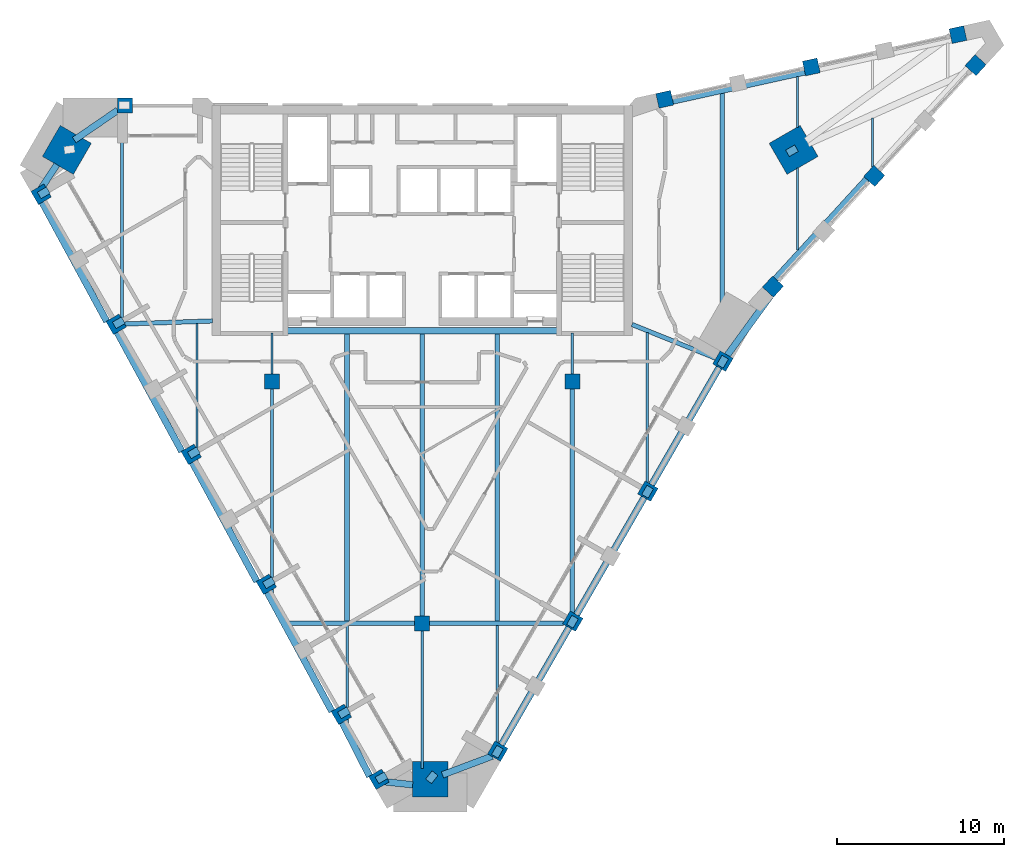
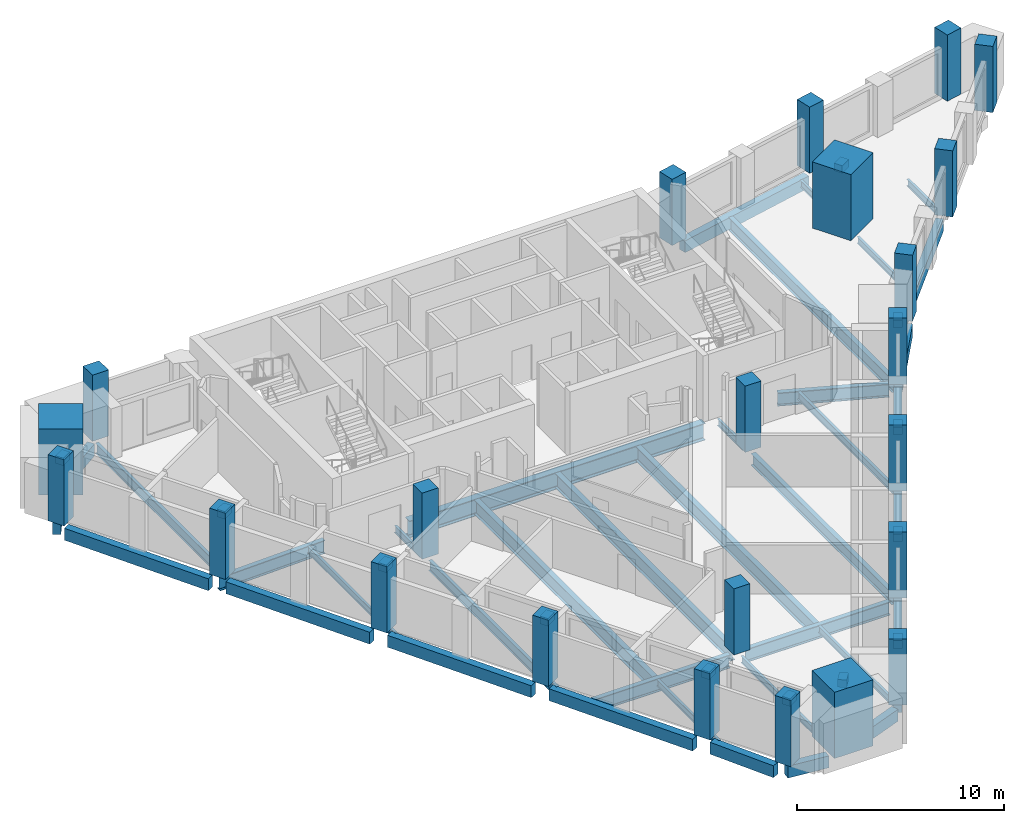
# One storey, part 1 of 8: 49 beams, 23 columns.
"""IFC4 building model written with IfcOpenShell, lengths in metres."""

from ifc_helpers import new_model, si_unit, direction, frame, origin, origin_2d, place, context, subcontext, project, spatial, rectangle, i_section, extrude, material, material_profile, profile_set, type_object, element, save


model = new_model("IFC4")

# Units and contexts
model_context = context("Model", 3, precision=1e-05, world=origin(), true_north=direction((0.0, 1.0)))
body_context = subcontext(model_context, "Body", "Model", "MODEL_VIEW")
ifc_project = project(units=[si_unit("LENGTHUNIT", "METRE"), si_unit("AREAUNIT", "SQUARE_METRE"), si_unit("VOLUMEUNIT", "CUBIC_METRE"), si_unit("PLANEANGLEUNIT", "RADIAN"), si_unit("MASSUNIT", "GRAM", prefix="KILO")], contexts=[model_context])

# Site, building, storey
site_placement = place(None, origin())
site = spatial("IfcSite", under=ifc_project, at=site_placement, CompositionType="ELEMENT")
building_placement = place(site_placement, origin())
building = spatial("IfcBuilding", under=site, at=building_placement, Name="Calabash Gate Tower", CompositionType="ELEMENT")
storey_placement = place(building_placement, frame((0.0, 0.0, 275.5)))
storey = spatial("IfcBuildingStorey", under=building, at=storey_placement, Name="L66", CompositionType="ELEMENT", Elevation=275.5)

# Columns
ifc_material_1 = material(Name="Concrete C60/75", Category="concrete")
ifc_material_profile_1 = material_profile(ifc_material_1, rectangle(XDim=0.89990234375, YDim=0.89990234375, at=origin_2d()))
ifc_profile_set_1 = profile_set([ifc_material_profile_1], Name="Concrete C60/75")
column_type_1 = type_object("IfcColumnType", Name="Interior column RC 900x900 Concrete C60/75", PredefinedType="COLUMN", material=ifc_profile_set_1)
for number, where, z_axis, x_axis, name in (
    (1, (-9.0, 2.5, 0.0), (0.0, 0.0, 1.0), (1.0, 0.0, 0.0), "Interior column L66 I0"),
    (2, (9.0, 2.5, 0.0), (0.0, 0.0, 1.0), (1.0, 0.0, 0.0), "Interior column L66 I1"),
    (3, (0.0, -12.0, 0.0), (0.0, 0.0, 1.0), (1.0, 0.0, 0.0), "Interior column L66 I2"),
):
    element("IfcColumn", number, at=place(storey_placement, frame(where, z_axis=z_axis, x_axis=x_axis)), inside=storey, type_object=column_type_1, Name=name, PredefinedType="COLUMN", context=body_context, shape_type="SweptSolid", body=[
        extrude(rectangle(XDim=0.89990234375, YDim=0.89990234375, at=origin_2d()), origin(), (0.0, 0.0, 1.0), 3.89990234375),
    ])
ifc_material_2 = material(Name="Concrete C60/75", Category="concrete")
ifc_material_profile_2 = material_profile(ifc_material_2, rectangle(XDim=2.14990234375, YDim=2.14990234375, at=origin_2d()))
ifc_profile_set_2 = profile_set([ifc_material_profile_2], Name="Concrete C60/75")
column_type_2 = type_object("IfcColumnType", Name="Mega column RC 2150x2150 Concrete C60/75", PredefinedType="COLUMN", material=ifc_profile_set_2)
for number, where, z_axis, x_axis, name in (
    (4, (-21.305908203125, 16.386962890625, 0.0), (0.0, 0.0, 1.0), (0.866025412511, -0.499999984885, 0.0), "Mega column L66 NW"),
    (5, (22.26708984375, 16.386962890625, 0.0), (0.0, 0.0, 1.0), (-0.866025412511, -0.499999984885, 0.0), "Mega column L66 NE"),
    (6, (0.47998046875, -21.345947265625, 0.0), (0.0, 0.0, 1.0), (0.0, 1.0, 0.0), "Mega column L66 S"),
):
    element("IfcColumn", number, at=place(storey_placement, frame(where, z_axis=z_axis, x_axis=x_axis)), inside=storey, type_object=column_type_2, Name=name, PredefinedType="COLUMN", context=body_context, shape_type="SweptSolid", body=[
        extrude(rectangle(XDim=2.14990234375, YDim=2.14990234375, at=origin_2d()), origin(), (0.0, 0.0, 1.0), 3.89990234375),
    ])
ifc_material_3 = material(Name="Concrete C50/60", Category="concrete")
ifc_material_profile_3 = material_profile(ifc_material_3, rectangle(XDim=0.89990234375, YDim=0.89990234375, at=origin_2d()))
ifc_profile_set_3 = profile_set([ifc_material_profile_3], Name="Concrete C50/60")
column_type_3 = type_object("IfcColumnType", Name="Perimeter column RC 900x900 Concrete C50/60", PredefinedType="COLUMN", material=ifc_profile_set_3)
for number, where, z_axis, x_axis, name in (
    (7, (-22.845947265625, 13.72705078125, 0.0), (0.0, 0.0, 1.0), (0.500000015115, -0.866025395058, 0.0), "Perimeter column L66 P20"),
    (8, (-18.345947265625, 5.930908203125, 0.0), (0.0, 0.0, 1.0), (0.500000015115, -0.866025395058, 0.0), "Perimeter column L66 P00"),
    (9, (-13.845947265625, -1.864013671875, 0.0), (0.0, 0.0, 1.0), (0.500000015115, -0.866025395058, 0.0), "Perimeter column L66 P01"),
    (10, (-9.345947265625, -9.657958984375, 0.0), (0.0, 0.0, 1.0), (0.500000015115, -0.866025395058, 0.0), "Perimeter column L66 P02"),
    (11, (-4.845947265625, -17.451904296875, 0.0), (0.0, 0.0, 1.0), (0.500000015115, -0.866025395058, 0.0), "Perimeter column L66 P03"),
    (12, (-2.595947265625, -21.34912109375, 0.0), (0.0, 0.0, 1.0), (0.500000015115, -0.866025395058, 0.0), "Perimeter column L66 P25"),
    (13, (4.530029296875, -19.660888671875, 0.0), (0.0, 0.0, 1.0), (0.499999984885, 0.866025412511, 0.0), "Perimeter column L66 P08"),
    (14, (9.030029296875, -11.866943359375, 0.0), (0.0, 0.0, 1.0), (0.499999984885, 0.866025412511, 0.0), "Perimeter column L66 P09"),
    (15, (13.530029296875, -4.072998046875, 0.0), (0.0, 0.0, 1.0), (0.499999984885, 0.866025412511, 0.0), "Perimeter column L66 P10"),
    (16, (18.030029296875, 3.720947265625, 0.0), (0.0, 0.0, 1.0), (0.499999984885, 0.866025412511, 0.0), "Perimeter column L66 P11"),
    (17, (21.031005859375, 8.18701171875, 0.0), (0.0, 0.0, 1.0), (0.67485604152, 0.737949404244, 0.0), "Perimeter column L66 P12"),
    (18, (27.10400390625, 14.825927734375, 0.0), (0.0, 0.0, 1.0), (0.67485604152, 0.737949404244, 0.0), "Perimeter column L66 P36"),
    (19, (33.177978515625, 21.468017578125, 0.0), (0.0, 0.0, 1.0), (0.67485604152, 0.737949404244, 0.0), "Perimeter column L66 P37"),
    (20, (32.12109375, 23.298095703125, 0.0), (0.0, 0.0, 1.0), (-0.976510951543, -0.215467773731, 0.0), "Perimeter column L66 P38"),
    (21, (23.3330078125, 21.35888671875, 0.0), (0.0, 0.0, 1.0), (-0.976510951543, -0.215467773731, 0.0), "Perimeter column L66 P39"),
    (22, (14.5439453125, 19.4189453125, 0.0), (0.0, 0.0, 1.0), (-0.976510951543, -0.215467773731, 0.0), "Perimeter column L66 P40"),
    (23, (-17.822021484375, 19.052978515625, 0.0), (0.0, 0.0, 1.0), (-1.0, 0.0, 0.0), "Perimeter column L66 P31"),
):
    element("IfcColumn", number, at=place(storey_placement, frame(where, z_axis=z_axis, x_axis=x_axis)), inside=storey, type_object=column_type_3, Name=name, PredefinedType="COLUMN", context=body_context, shape_type="SweptSolid", body=[
        extrude(rectangle(XDim=0.89990234375, YDim=0.89990234375, at=origin_2d()), origin(), (0.0, 0.0, 1.0), 3.89990234375),
    ])

# Beams
ifc_material_4 = material(Name="Concrete C80/95", Category="concrete")
ifc_material_profile_4 = material_profile(ifc_material_4, rectangle(XDim=0.449951171875, YDim=0.449951171875, at=origin_2d()))
ifc_profile_set_4 = profile_set([ifc_material_profile_4], Name="Concrete C80/95")
beam_type_1 = type_object("IfcBeamType", Name="Column offset link RC 450x450 Concrete C80/95", PredefinedType="BEAM", material=ifc_profile_set_4)
beam_1_placement = place(storey_placement, frame((21.89697265625, 16.177001953125, 3.50390625), z_axis=(0.867621901923, 0.497224532081, 0.0), x_axis=(-0.497224532081, 0.867621901923, 0.0)))
element("IfcBeam", 24, at=beam_1_placement, inside=storey, type_object=beam_type_1, Name="Column offset link L66 NE", PredefinedType="BEAM", context=body_context, shape_type="SweptSolid", body=[
    extrude(rectangle(XDim=0.449951171875, YDim=0.449951171875, at=origin_2d()), origin(), (0.0, 0.0, 1.0), 0.62939453125),
])
for number, where, z_axis, x_axis, name in (
    (25, (-18.462890625, 5.863037109375, 3.50390625), (0.866185586049, 0.49972245349, 0.0), (-0.49972245349, 0.866185586049, 0.0), "Column offset link L66 P00"),
    (26, (-13.962890625, -1.930908203125, 3.50390625), (0.866185586049, 0.49972245349, 0.0), (-0.49972245349, 0.866185586049, 0.0), "Column offset link L66 P01"),
):
    element("IfcBeam", number, at=place(storey_placement, frame(where, z_axis=z_axis, x_axis=x_axis)), inside=storey, type_object=beam_type_1, Name=name, PredefinedType="BEAM", context=body_context, shape_type="SweptSolid", body=[
        extrude(rectangle(XDim=0.449951171875, YDim=0.449951171875, at=origin_2d()), origin(), (0.0, 0.0, 1.0), 0.630126953125),
    ])
beam_2_placement = place(storey_placement, frame((-9.462890625, -9.722900390625, 3.50390625), z_axis=(0.867525964319, 0.497391899042, 0.0), x_axis=(-0.497391899042, 0.867525964319, 0.0)))
element("IfcBeam", 27, at=beam_2_placement, inside=storey, type_object=beam_type_1, Name="Column offset link L66 P02", PredefinedType="BEAM", context=body_context, shape_type="SweptSolid", body=[
    extrude(rectangle(XDim=0.449951171875, YDim=0.449951171875, at=origin_2d()), origin(), (0.0, 0.0, 1.0), 0.629150390625),
])
beam_3_placement = place(storey_placement, frame((-4.962890625, -17.51904296875, 3.50390625), z_axis=(0.866185586049, 0.49972245349, 0.0), x_axis=(-0.49972245349, 0.866185586049, 0.0)))
element("IfcBeam", 28, at=beam_3_placement, inside=storey, type_object=beam_type_1, Name="Column offset link L66 P03", PredefinedType="BEAM", context=body_context, shape_type="SweptSolid", body=[
    extrude(rectangle(XDim=0.449951171875, YDim=0.449951171875, at=origin_2d()), origin(), (0.0, 0.0, 1.0), 0.630126953125),
])
beam_4_placement = place(storey_placement, frame((4.35400390625, -19.966064453125, 3.50390625), z_axis=(0.500225913189, 0.86589493345, 0.0), x_axis=(-0.86589493345, 0.500225913189, 0.0)))
element("IfcBeam", 29, at=beam_4_placement, inside=storey, type_object=beam_type_1, Name="Column offset link L66 P08", PredefinedType="BEAM", context=body_context, shape_type="SweptSolid", body=[
    extrude(rectangle(XDim=0.449951171875, YDim=0.449951171875, at=origin_2d()), origin(), (0.0, 0.0, 1.0), 0.629638671875),
])
beam_5_placement = place(storey_placement, frame((8.85400390625, -12.172119140625, 3.50390625), z_axis=(0.499554821267, 0.866282275329, 0.0), x_axis=(-0.866282275329, 0.499554821267, 0.0)))
element("IfcBeam", 30, at=beam_5_placement, inside=storey, type_object=beam_type_1, Name="Column offset link L66 P09", PredefinedType="BEAM", context=body_context, shape_type="SweptSolid", body=[
    extrude(rectangle(XDim=0.449951171875, YDim=0.449951171875, at=origin_2d()), origin(), (0.0, 0.0, 1.0), 0.63037109375),
])
for number, where, z_axis, x_axis, name in (
    (31, (13.35400390625, -4.3779296875, 3.50390625), (0.49972245349, 0.866185586049, 0.0), (-0.866185586049, 0.49972245349, 0.0), "Column offset link L66 P10"),
    (32, (17.85400390625, 3.416015625, 3.50390625), (0.49972245349, 0.866185586049, 0.0), (-0.866185586049, 0.49972245349, 0.0), "Column offset link L66 P11"),
    (33, (-22.962890625, 13.657958984375, 3.50390625), (0.866185586049, 0.49972245349, 0.0), (-0.49972245349, 0.866185586049, 0.0), "Column offset link L66 P20"),
    (34, (-2.712890625, -21.4169921875, 3.50390625), (0.866185586049, 0.49972245349, 0.0), (-0.49972245349, 0.866185586049, 0.0), "Column offset link L66 P25"),
):
    element("IfcBeam", number, at=place(storey_placement, frame(where, z_axis=z_axis, x_axis=x_axis)), inside=storey, type_object=beam_type_1, Name=name, PredefinedType="BEAM", context=body_context, shape_type="SweptSolid", body=[
        extrude(rectangle(XDim=0.449951171875, YDim=0.449951171875, at=origin_2d()), origin(), (0.0, 0.0, 1.0), 0.630126953125),
    ])
beam_6_placement = place(storey_placement, frame((0.3798828125, -21.472900390625, 3.50390625), z_axis=(0.618351183574, 0.785901911038, 0.0), x_axis=(-0.785901911038, 0.618351183574, 0.0)))
element("IfcBeam", 35, at=beam_6_placement, inside=storey, type_object=beam_type_1, Name="Column offset link L66 S", PredefinedType="BEAM", context=body_context, shape_type="SweptSolid", body=[
    extrude(rectangle(XDim=0.449951171875, YDim=0.449951171875, at=origin_2d()), origin(), (0.0, 0.0, 1.0), 0.630859375),
])
ifc_material_5 = material(Name="Concrete C50/60", Category="concrete")
ifc_material_profile_5 = material_profile(ifc_material_5, rectangle(XDim=0.39990234375, YDim=0.699951171875, at=origin_2d()))
ifc_profile_set_5 = profile_set([ifc_material_profile_5], Name="Concrete C50/60")
beam_type_2 = type_object("IfcBeamType", Name="Edge beam RC 400x700 Concrete C50/60", PredefinedType="BEAM", material=ifc_profile_set_5)
for number, where, z_axis, x_axis, name in (
    (36, (-13.7958984375, -2.3291015625, -0.52001953125), (0.477013821139, -0.878895792709, 0.0), (0.878895792709, 0.477013821139, 0.0), "Edge beam L66 1"),
    (37, (-9.2958984375, -10.123046875, -0.52001953125), (0.477013821139, -0.878895792709, 0.0), (0.878895792709, 0.477013821139, 0.0), "Edge beam L66 2"),
):
    element("IfcBeam", number, at=place(storey_placement, frame(where, z_axis=z_axis, x_axis=x_axis)), inside=storey, type_object=beam_type_2, Name=name, PredefinedType="BEAM", context=body_context, shape_type="SweptSolid", body=[
        extrude(rectangle(XDim=0.39990234375, YDim=0.699951171875, at=origin_2d()), origin(), (0.0, 0.0, 1.0), 8.146484375),
    ])
beam_7_placement = place(storey_placement, frame((-4.805908203125, -17.923095703125, -0.52001953125), z_axis=(0.454000979185, -0.891001184566, 0.0), x_axis=(0.891001184566, 0.454000979185, 0.0)))
element("IfcBeam", 38, at=beam_7_placement, inside=storey, type_object=beam_type_2, Name="Edge beam L66 3", PredefinedType="BEAM", context=body_context, shape_type="SweptSolid", body=[
    extrude(rectangle(XDim=0.39990234375, YDim=0.699951171875, at=origin_2d()), origin(), (0.0, 0.0, 1.0), 3.6474609375),
])
beam_8_placement = place(storey_placement, frame((-2.721923828125, -21.44091796875, -0.52001953125), z_axis=(0.99392085928, -0.110096891365, 0.0), x_axis=(0.110096891365, 0.99392085928, 0.0)))
element("IfcBeam", 39, at=beam_8_placement, inside=storey, type_object=beam_type_2, Name="Edge beam L66 4", PredefinedType="BEAM", context=body_context, shape_type="SweptSolid", body=[
    extrude(rectangle(XDim=0.39990234375, YDim=0.699951171875, at=origin_2d()), origin(), (0.0, 0.0, 1.0), 2.162109375),
])
beam_9_placement = place(storey_placement, frame((1.216064453125, -21.083984375, -0.52001953125), z_axis=(0.935553857978, 0.353184057997, 0.0), x_axis=(-0.353184057997, 0.935553857978, 0.0)))
element("IfcBeam", 40, at=beam_9_placement, inside=storey, type_object=beam_type_2, Name="Edge beam L66 5", PredefinedType="BEAM", context=body_context, shape_type="SweptSolid", body=[
    extrude(rectangle(XDim=0.39990234375, YDim=0.699951171875, at=origin_2d()), origin(), (0.0, 0.0, 1.0), 3.1796875),
])
beam_10_placement = place(storey_placement, frame((4.60888671875, -19.52294921875, -0.52001953125), z_axis=(0.499919966627, 0.866071606143, 0.0), x_axis=(-0.866071606143, 0.499919966627, 0.0)))
element("IfcBeam", 41, at=beam_10_placement, inside=storey, type_object=beam_type_2, Name="Edge beam L66 6", PredefinedType="BEAM", context=body_context, shape_type="SweptSolid", body=[
    extrude(rectangle(XDim=0.39990234375, YDim=0.699951171875, at=origin_2d()), origin(), (0.0, 0.0, 1.0), 8.41748046875),
])
for number, where, z_axis, x_axis, name in (
    (42, (9.10888671875, -11.72998046875, -0.52001953125), (0.49997020258, 0.86604260665, 0.0), (-0.86604260665, 0.49997020258, 0.0), "Edge beam L66 7"),
    (43, (13.60888671875, -3.93603515625, -0.52001953125), (0.49997020258, 0.86604260665, 0.0), (-0.86604260665, 0.49997020258, 0.0), "Edge beam L66 8"),
):
    element("IfcBeam", number, at=place(storey_placement, frame(where, z_axis=z_axis, x_axis=x_axis)), inside=storey, type_object=beam_type_2, Name=name, PredefinedType="BEAM", context=body_context, shape_type="SweptSolid", body=[
        extrude(rectangle(XDim=0.39990234375, YDim=0.699951171875, at=origin_2d()), origin(), (0.0, 0.0, 1.0), 8.41650390625),
    ])
beam_11_placement = place(storey_placement, frame((18.1259765625, 3.85009765625, -0.52001953125), z_axis=(0.587961717707, 0.808888755337, 0.0), x_axis=(-0.808888755337, 0.587961717707, 0.0)))
element("IfcBeam", 44, at=beam_11_placement, inside=storey, type_object=beam_type_2, Name="Edge beam L66 9", PredefinedType="BEAM", context=body_context, shape_type="SweptSolid", body=[
    extrude(rectangle(XDim=0.39990234375, YDim=0.699951171875, at=origin_2d()), origin(), (0.0, 0.0, 1.0), 4.7705078125),
])
beam_12_placement = place(storey_placement, frame((21.18701171875, 8.652099609375, -0.52001953125), z_axis=(0.674873802315, 0.737933161573, 0.0), x_axis=(-0.737933161573, 0.674873802315, 0.0)))
element("IfcBeam", 45, at=beam_12_placement, inside=storey, type_object=beam_type_2, Name="Edge beam L66 10", PredefinedType="BEAM", context=body_context, shape_type="SweptSolid", body=[
    extrude(rectangle(XDim=0.39990234375, YDim=0.699951171875, at=origin_2d()), origin(), (0.0, 0.0, 1.0), 8.099365234375),
])
beam_13_placement = place(storey_placement, frame((22.93603515625, 21.06591796875, -0.52001953125), z_axis=(-0.976517152373, -0.215439669332, 0.0), x_axis=(0.215439669332, -0.976517152373, 0.0)))
element("IfcBeam", 46, at=beam_13_placement, inside=storey, type_object=beam_type_2, Name="Edge beam L66 15", PredefinedType="BEAM", context=body_context, shape_type="SweptSolid", body=[
    extrude(rectangle(XDim=0.39990234375, YDim=0.699951171875, at=origin_2d()), origin(), (0.0, 0.0, 1.0), 8.09912109375),
])
beam_14_placement = place(storey_placement, frame((-18.258056640625, 18.761962890625, -0.52001953125), z_axis=(-0.824398084176, -0.566010422878, 0.0), x_axis=(0.566010422878, -0.824398084176, 0.0)))
element("IfcBeam", 47, at=beam_14_placement, inside=storey, type_object=beam_type_2, Name="Edge beam L66 16", PredefinedType="BEAM", context=body_context, shape_type="SweptSolid", body=[
    extrude(rectangle(XDim=0.39990234375, YDim=0.699951171875, at=origin_2d()), origin(), (0.0, 0.0, 1.0), 3.15869140625),
])
beam_15_placement = place(storey_placement, frame((-21.903076171875, 15.508056640625, -0.52001953125), z_axis=(-0.547709456337, -0.836668603115, 0.0), x_axis=(0.836668603115, -0.547709456337, 0.0)))
element("IfcBeam", 48, at=beam_15_placement, inside=storey, type_object=beam_type_2, Name="Edge beam L66 17", PredefinedType="BEAM", context=body_context, shape_type="SweptSolid", body=[
    extrude(rectangle(XDim=0.39990234375, YDim=0.699951171875, at=origin_2d()), origin(), (0.0, 0.0, 1.0), 2.101318359375),
])
beam_16_placement = place(storey_placement, frame((-22.7958984375, 13.260009765625, -0.52001953125), z_axis=(0.477013821139, -0.878895792709, 0.0), x_axis=(0.878895792709, 0.477013821139, 0.0)))
element("IfcBeam", 49, at=beam_16_placement, inside=storey, type_object=beam_type_2, Name="Edge beam L66 18", PredefinedType="BEAM", context=body_context, shape_type="SweptSolid", body=[
    extrude(rectangle(XDim=0.39990234375, YDim=0.699951171875, at=origin_2d()), origin(), (0.0, 0.0, 1.0), 8.146484375),
])
beam_17_placement = place(storey_placement, frame((-18.2958984375, 5.467041015625, -0.52001953125), z_axis=(0.477001257127, -0.878902611612, 0.0), x_axis=(0.878902611612, 0.477001257127, 0.0)))
element("IfcBeam", 50, at=beam_17_placement, inside=storey, type_object=beam_type_2, Name="Edge beam L66 19", PredefinedType="BEAM", context=body_context, shape_type="SweptSolid", body=[
    extrude(rectangle(XDim=0.39990234375, YDim=0.699951171875, at=origin_2d()), origin(), (0.0, 0.0, 1.0), 8.146728515625),
])
ifc_material_6 = material(Name="Steel ASTM A992 Gr50", Category="steel")
ifc_material_profile_6 = material_profile(ifc_material_6, i_section(OverallWidth=0.1396484375, OverallDepth=0.398681640625, WebThickness=0.00634765625, FlangeThickness=0.0087890625, FilletRadius=0.01025390625, at=origin_2d()))
ifc_profile_set_6 = profile_set([ifc_material_profile_6], Name="Steel ASTM A992 Gr50")
beam_type_3 = type_object("IfcBeamType", Name="Floor beam W16x26 ASTM A992 Gr50", PredefinedType="BEAM", material=ifc_profile_set_6)
beam_18_placement = place(storey_placement, frame((-13.5, -2.472900390625, -0.368896484375), z_axis=(0.0, 1.0, 0.0), x_axis=(-1.0, 0.0, 0.0)))
element("IfcBeam", 51, at=beam_18_placement, inside=storey, type_object=beam_type_3, Name="Floor beam L66 2", PredefinedType="BEAM", context=body_context, shape_type="SweptSolid", body=[
    extrude(i_section(OverallWidth=0.1396484375, OverallDepth=0.398681640625, WebThickness=0.00634765625, FlangeThickness=0.0087890625, FilletRadius=0.01025390625, at=origin_2d()), origin(), (0.0, 0.0, 1.0), 8.4619140625),
])
beam_19_placement = place(storey_placement, frame((-9.0, 2.949951171875, -0.368896484375), z_axis=(0.0, 1.0, 0.0), x_axis=(-1.0, 0.0, 0.0)))
element("IfcBeam", 52, at=beam_19_placement, inside=storey, type_object=beam_type_3, Name="Floor beam L66 4", PredefinedType="BEAM", context=body_context, shape_type="SweptSolid", body=[
    extrude(i_section(OverallWidth=0.1396484375, OverallDepth=0.398681640625, WebThickness=0.00634765625, FlangeThickness=0.0087890625, FilletRadius=0.01025390625, at=origin_2d()), origin(), (0.0, 0.0, 1.0), 2.453125),
])
beam_20_placement = place(storey_placement, frame((-4.5, -18.10400390625, -0.368896484375), z_axis=(0.0, 1.0, 0.0), x_axis=(-1.0, 0.0, 0.0)))
element("IfcBeam", 53, at=beam_20_placement, inside=storey, type_object=beam_type_3, Name="Floor beam L66 5", PredefinedType="BEAM", context=body_context, shape_type="SweptSolid", body=[
    extrude(i_section(OverallWidth=0.1396484375, OverallDepth=0.398681640625, WebThickness=0.00634765625, FlangeThickness=0.0087890625, FilletRadius=0.01025390625, at=origin_2d()), origin(), (0.0, 0.0, 1.0), 5.970947265625),
])
beam_21_placement = place(storey_placement, frame((0.0, -20.702880859375, -0.368896484375), z_axis=(0.0, 1.0, 0.0), x_axis=(-1.0, 0.0, 0.0)))
element("IfcBeam", 54, at=beam_21_placement, inside=storey, type_object=beam_type_3, Name="Floor beam L66 7", PredefinedType="BEAM", context=body_context, shape_type="SweptSolid", body=[
    extrude(i_section(OverallWidth=0.1396484375, OverallDepth=0.398681640625, WebThickness=0.00634765625, FlangeThickness=0.0087890625, FilletRadius=0.01025390625, at=origin_2d()), origin(), (0.0, 0.0, 1.0), 8.2529296875),
])
beam_22_placement = place(storey_placement, frame((4.5, -19.343017578125, -0.368896484375), z_axis=(0.0, 1.0, 0.0), x_axis=(-1.0, 0.0, 0.0)))
element("IfcBeam", 55, at=beam_22_placement, inside=storey, type_object=beam_type_3, Name="Floor beam L66 9", PredefinedType="BEAM", context=body_context, shape_type="SweptSolid", body=[
    extrude(i_section(OverallWidth=0.1396484375, OverallDepth=0.398681640625, WebThickness=0.00634765625, FlangeThickness=0.0087890625, FilletRadius=0.01025390625, at=origin_2d()), origin(), (0.0, 0.0, 1.0), 7.2099609375),
])
beam_23_placement = place(storey_placement, frame((9.0, 2.949951171875, -0.368896484375), z_axis=(0.0, 1.0, 0.0), x_axis=(-1.0, 0.0, 0.0)))
element("IfcBeam", 56, at=beam_23_placement, inside=storey, type_object=beam_type_3, Name="Floor beam L66 12", PredefinedType="BEAM", context=body_context, shape_type="SweptSolid", body=[
    extrude(i_section(OverallWidth=0.1396484375, OverallDepth=0.398681640625, WebThickness=0.00634765625, FlangeThickness=0.0087890625, FilletRadius=0.01025390625, at=origin_2d()), origin(), (0.0, 0.0, 1.0), 2.453125),
])
beam_24_placement = place(storey_placement, frame((22.5, 10.3720703125, -0.368896484375), z_axis=(0.0, 1.0, 0.0), x_axis=(-1.0, 0.0, 0.0)))
element("IfcBeam", 57, at=beam_24_placement, inside=storey, type_object=beam_type_3, Name="Floor beam L66 15", PredefinedType="BEAM", context=body_context, shape_type="SweptSolid", body=[
    extrude(i_section(OverallWidth=0.1396484375, OverallDepth=0.398681640625, WebThickness=0.00634765625, FlangeThickness=0.0087890625, FilletRadius=0.01025390625, at=origin_2d()), origin(), (0.0, 0.0, 1.0), 4.934814453125),
])
beam_25_placement = place(storey_placement, frame((22.5, 17.740966796875, -0.368896484375), z_axis=(0.0, 1.0, 0.0), x_axis=(-1.0, 0.0, 0.0)))
element("IfcBeam", 58, at=beam_25_placement, inside=storey, type_object=beam_type_3, Name="Floor beam L66 16", PredefinedType="BEAM", context=body_context, shape_type="SweptSolid", body=[
    extrude(i_section(OverallWidth=0.1396484375, OverallDepth=0.398681640625, WebThickness=0.00634765625, FlangeThickness=0.0087890625, FilletRadius=0.01025390625, at=origin_2d()), origin(), (0.0, 0.0, 1.0), 3.05615234375),
])
beam_26_placement = place(storey_placement, frame((27.0, 15.35693359375, -0.368896484375), z_axis=(0.0, 1.0, 0.0), x_axis=(-1.0, 0.0, 0.0)))
element("IfcBeam", 59, at=beam_26_placement, inside=storey, type_object=beam_type_3, Name="Floor beam L66 17", PredefinedType="BEAM", context=body_context, shape_type="SweptSolid", body=[
    extrude(i_section(OverallWidth=0.1396484375, OverallDepth=0.398681640625, WebThickness=0.00634765625, FlangeThickness=0.0087890625, FilletRadius=0.01025390625, at=origin_2d()), origin(), (0.0, 0.0, 1.0), 2.93310546875),
])
ifc_material_7 = material(Name="Steel ASTM A992 Gr50", Category="steel")
ifc_material_profile_7 = material_profile(ifc_material_7, i_section(OverallWidth=0.15234375, OverallDepth=0.44970703125, WebThickness=0.007568359375, FlangeThickness=0.0107421875, FilletRadius=0.01025390625, at=origin_2d()))
ifc_profile_set_7 = profile_set([ifc_material_profile_7], Name="Steel ASTM A992 Gr50")
beam_type_4 = type_object("IfcBeamType", Name="Floor beam W18x35 ASTM A992 Gr50", PredefinedType="BEAM", material=ifc_profile_set_7)
beam_27_placement = place(storey_placement, frame((13.5, -3.737060546875, -0.39306640625), z_axis=(0.0, 1.0, 0.0), x_axis=(-1.0, 0.0, 0.0)))
element("IfcBeam", 60, at=beam_27_placement, inside=storey, type_object=beam_type_4, Name="Floor beam L66 13", PredefinedType="BEAM", context=body_context, shape_type="SweptSolid", body=[
    extrude(i_section(OverallWidth=0.15234375, OverallDepth=0.44970703125, WebThickness=0.007568359375, FlangeThickness=0.0107421875, FilletRadius=0.01025390625, at=origin_2d()), origin(), (0.0, 0.0, 1.0), 9.173095703125),
])
ifc_material_8 = material(Name="Steel ASTM A992 Gr50", Category="steel")
ifc_material_profile_8 = material_profile(ifc_material_8, i_section(OverallWidth=0.1787109375, OverallDepth=0.60205078125, WebThickness=0.010986328125, FlangeThickness=0.014892578125, FilletRadius=0.0126953125, at=origin_2d()))
ifc_profile_set_8 = profile_set([ifc_material_profile_8], Name="Steel ASTM A992 Gr50")
beam_type_5 = type_object("IfcBeamType", Name="Floor beam W24x62 ASTM A992 Gr50", PredefinedType="BEAM", material=ifc_profile_set_8)
beam_28_placement = place(storey_placement, frame((-18.0, 6.05908203125, -0.470947265625), z_axis=(0.0, 1.0, 0.0), x_axis=(-1.0, 0.0, 0.0)))
element("IfcBeam", 61, at=beam_28_placement, inside=storey, type_object=beam_type_5, Name="Floor beam L66 1", PredefinedType="BEAM", context=body_context, shape_type="SweptSolid", body=[
    extrude(i_section(OverallWidth=0.1787109375, OverallDepth=0.60205078125, WebThickness=0.010986328125, FlangeThickness=0.014892578125, FilletRadius=0.0126953125, at=origin_2d()), origin(), (0.0, 0.0, 1.0), 12.577880859375),
])
beam_29_placement = place(storey_placement, frame((-9.0, -10.26904296875, -0.470947265625), z_axis=(0.0, 1.0, 0.0), x_axis=(-1.0, 0.0, 0.0)))
element("IfcBeam", 62, at=beam_29_placement, inside=storey, type_object=beam_type_5, Name="Floor beam L66 3", PredefinedType="BEAM", context=body_context, shape_type="SweptSolid", body=[
    extrude(i_section(OverallWidth=0.1787109375, OverallDepth=0.60205078125, WebThickness=0.010986328125, FlangeThickness=0.014892578125, FilletRadius=0.0126953125, at=origin_2d()), origin(), (0.0, 0.0, 1.0), 12.319091796875),
])
ifc_material_9 = material(Name="Steel ASTM A992 Gr50", Category="steel")
ifc_material_profile_9 = material_profile(ifc_material_9, i_section(OverallWidth=0.25390625, OverallDepth=0.67822265625, WebThickness=0.01171875, FlangeThickness=0.016357421875, FilletRadius=0.01513671875, at=origin_2d()))
ifc_profile_set_9 = profile_set([ifc_material_profile_9], Name="Steel ASTM A992 Gr50")
beam_type_6 = type_object("IfcBeamType", Name="Floor beam W27x84 ASTM A992 Gr50", PredefinedType="BEAM", material=ifc_profile_set_9)
beam_30_placement = place(storey_placement, frame((9.0, -11.551025390625, -0.509033203125), z_axis=(0.0, 1.0, 0.0), x_axis=(-1.0, 0.0, 0.0)))
element("IfcBeam", 63, at=beam_30_placement, inside=storey, type_object=beam_type_6, Name="Floor beam L66 11", PredefinedType="BEAM", context=body_context, shape_type="SweptSolid", body=[
    extrude(i_section(OverallWidth=0.25390625, OverallDepth=0.67822265625, WebThickness=0.01171875, FlangeThickness=0.016357421875, FilletRadius=0.01513671875, at=origin_2d()), origin(), (0.0, 0.0, 1.0), 13.60107421875),
])
ifc_material_10 = material(Name="Steel ASTM A992 Gr50", Category="steel")
ifc_material_profile_10 = material_profile(ifc_material_10, i_section(OverallWidth=0.2666015625, OverallDepth=0.7568359375, WebThickness=0.013916015625, FlangeThickness=0.019287109375, FilletRadius=0.0166015625, at=origin_2d()))
ifc_profile_set_10 = profile_set([ifc_material_profile_10], Name="Steel ASTM A992 Gr50")
beam_type_7 = type_object("IfcBeamType", Name="Floor beam W30x108 ASTM A992 Gr50", PredefinedType="BEAM", material=ifc_profile_set_10)
beam_31_placement = place(storey_placement, frame((18.0, 3.9970703125, -0.548095703125), z_axis=(0.0, 1.0, 0.0), x_axis=(-1.0, 0.0, 0.0)))
element("IfcBeam", 64, at=beam_31_placement, inside=storey, type_object=beam_type_7, Name="Floor beam L66 14", PredefinedType="BEAM", context=body_context, shape_type="SweptSolid", body=[
    extrude(i_section(OverallWidth=0.2666015625, OverallDepth=0.7568359375, WebThickness=0.013916015625, FlangeThickness=0.019287109375, FilletRadius=0.0166015625, at=origin_2d()), origin(), (0.0, 0.0, 1.0), 15.806884765625),
])
ifc_material_11 = material(Name="Steel ASTM A992 Gr50", Category="steel")
ifc_material_profile_11 = material_profile(ifc_material_11, i_section(OverallWidth=0.2919921875, OverallDepth=0.845703125, WebThickness=0.015380859375, FlangeThickness=0.0244140625, FilletRadius=0.017822265625, at=origin_2d()))
ifc_profile_set_11 = profile_set([ifc_material_profile_11], Name="Steel ASTM A992 Gr50")
beam_type_8 = type_object("IfcBeamType", Name="Floor beam W33x141 ASTM A992 Gr50", PredefinedType="BEAM", material=ifc_profile_set_11)
beam_32_placement = place(storey_placement, frame((-4.5, -11.866943359375, -0.593017578125), z_axis=(0.0, 1.0, 0.0), x_axis=(-1.0, 0.0, 0.0)))
element("IfcBeam", 65, at=beam_32_placement, inside=storey, type_object=beam_type_8, Name="Floor beam L66 6", PredefinedType="BEAM", context=body_context, shape_type="SweptSolid", body=[
    extrude(i_section(OverallWidth=0.2919921875, OverallDepth=0.845703125, WebThickness=0.015380859375, FlangeThickness=0.0244140625, FilletRadius=0.017822265625, at=origin_2d()), origin(), (0.0, 0.0, 1.0), 17.218994140625),
])
beam_33_placement = place(storey_placement, frame((0.0, -11.550048828125, -0.593017578125), z_axis=(0.0, 1.0, 0.0), x_axis=(-1.0, 0.0, 0.0)))
element("IfcBeam", 66, at=beam_33_placement, inside=storey, type_object=beam_type_8, Name="Floor beam L66 8", PredefinedType="BEAM", context=body_context, shape_type="SweptSolid", body=[
    extrude(i_section(OverallWidth=0.2919921875, OverallDepth=0.845703125, WebThickness=0.015380859375, FlangeThickness=0.0244140625, FilletRadius=0.017822265625, at=origin_2d()), origin(), (0.0, 0.0, 1.0), 16.902099609375),
])
beam_34_placement = place(storey_placement, frame((4.5, -11.866943359375, -0.593017578125), z_axis=(0.0, 1.0, 0.0), x_axis=(-1.0, 0.0, 0.0)))
element("IfcBeam", 67, at=beam_34_placement, inside=storey, type_object=beam_type_8, Name="Floor beam L66 10", PredefinedType="BEAM", context=body_context, shape_type="SweptSolid", body=[
    extrude(i_section(OverallWidth=0.2919921875, OverallDepth=0.845703125, WebThickness=0.015380859375, FlangeThickness=0.0244140625, FilletRadius=0.017822265625, at=origin_2d()), origin(), (0.0, 0.0, 1.0), 17.218994140625),
])
ifc_material_12 = material(Name="Steel ASTM A992 Gr50", Category="steel")
ifc_material_profile_12 = material_profile(ifc_material_12, i_section(OverallWidth=0.2666015625, OverallDepth=0.77978515625, WebThickness=0.0166015625, FlangeThickness=0.030029296875, FilletRadius=0.0166015625, at=origin_2d()))
ifc_profile_set_12 = profile_set([ifc_material_profile_12], Name="Steel ASTM A992 Gr50")
beam_type_9 = type_object("IfcBeamType", Name="Girder W30x148 ASTM A992 Gr50", PredefinedType="BEAM", material=ifc_profile_set_12)
beam_35_placement = place(storey_placement, frame((-18.5380859375, 5.924072265625, -0.56005859375), z_axis=(0.999391570316, 0.034878204969, 0.0), x_axis=(-0.034878204969, 0.999391570316, 0.0)))
element("IfcBeam", 68, at=beam_35_placement, inside=storey, type_object=beam_type_9, Name="Girder L66 2", PredefinedType="BEAM", context=body_context, shape_type="SweptSolid", body=[
    extrude(i_section(OverallWidth=0.2666015625, OverallDepth=0.77978515625, WebThickness=0.0166015625, FlangeThickness=0.030029296875, FilletRadius=0.0166015625, at=origin_2d()), origin(), (0.0, 0.0, 1.0), 5.9638671875),
])
beam_36_placement = place(storey_placement, frame((17.62890625, 3.883056640625, -0.56005859375), z_axis=(-0.927436956151, 0.373979534688, 0.0), x_axis=(-0.373979534688, -0.927436956151, 0.0)))
element("IfcBeam", 69, at=beam_36_placement, inside=storey, type_object=beam_type_9, Name="Girder L66 3", PredefinedType="BEAM", context=body_context, shape_type="SweptSolid", body=[
    extrude(i_section(OverallWidth=0.2666015625, OverallDepth=0.77978515625, WebThickness=0.0166015625, FlangeThickness=0.030029296875, FilletRadius=0.0166015625, at=origin_2d()), origin(), (0.0, 0.0, 1.0), 5.44384765625),
])
beam_37_placement = place(storey_placement, frame((-8.06396484375, -12.0, -0.56005859375), z_axis=(1.0, 0.0, 0.0), x_axis=(0.0, 1.0, 0.0)))
element("IfcBeam", 70, at=beam_37_placement, inside=storey, type_object=beam_type_9, Name="Girder L66 4", PredefinedType="BEAM", context=body_context, shape_type="SweptSolid", body=[
    extrude(i_section(OverallWidth=0.2666015625, OverallDepth=0.77978515625, WebThickness=0.0166015625, FlangeThickness=0.030029296875, FilletRadius=0.0166015625, at=origin_2d()), origin(), (0.0, 0.0, 1.0), 7.614013671875),
])
beam_38_placement = place(storey_placement, frame((0.449951171875, -12.0, -0.56005859375), z_axis=(1.0, 0.0, 0.0), x_axis=(0.0, 1.0, 0.0)))
element("IfcBeam", 71, at=beam_38_placement, inside=storey, type_object=beam_type_9, Name="Girder L66 5", PredefinedType="BEAM", context=body_context, shape_type="SweptSolid", body=[
    extrude(i_section(OverallWidth=0.2666015625, OverallDepth=0.77978515625, WebThickness=0.0166015625, FlangeThickness=0.030029296875, FilletRadius=0.0166015625, at=origin_2d()), origin(), (0.0, 0.0, 1.0), 8.01611328125),
])
ifc_material_13 = material(Name="Steel ASTM A992 Gr50", Category="steel")
ifc_material_profile_13 = material_profile(ifc_material_13, i_section(OverallWidth=0.4013671875, OverallDepth=1.000732421875, WebThickness=0.01904296875, FlangeThickness=0.0361328125, FilletRadius=0.030029296875, at=origin_2d()))
ifc_profile_set_13 = profile_set([ifc_material_profile_13], Name="Steel ASTM A992 Gr50")
beam_type_10 = type_object("IfcBeamType", Name="Girder W40x249 ASTM A992 Gr50", PredefinedType="BEAM", material=ifc_profile_set_13)
beam_39_placement = place(storey_placement, frame((-8.25, 5.552978515625, -0.669921875), z_axis=(1.0, 0.0, 0.0), x_axis=(0.0, 1.0, 0.0)))
element("IfcBeam", 72, at=beam_39_placement, inside=storey, type_object=beam_type_10, Name="Girder L66 1", PredefinedType="BEAM", context=body_context, shape_type="SweptSolid", body=[
    extrude(i_section(OverallWidth=0.4013671875, OverallDepth=1.000732421875, WebThickness=0.01904296875, FlangeThickness=0.0361328125, FilletRadius=0.030029296875, at=origin_2d()), origin(), (0.0, 0.0, 1.0), 16.5),
])

save(model, "model.ifc")
